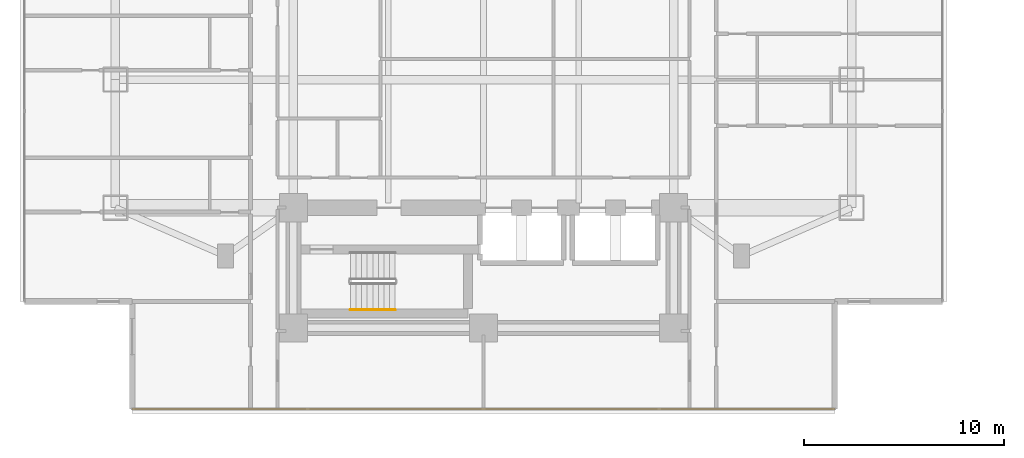
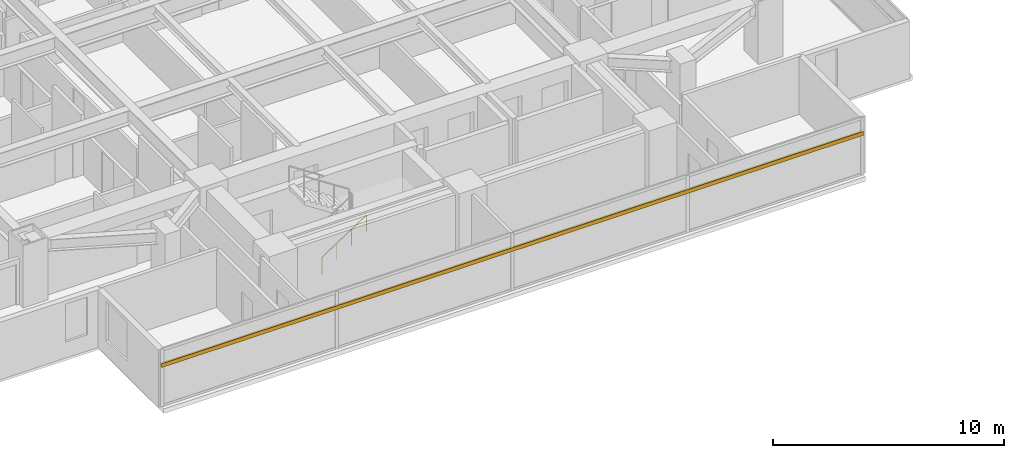
# One storey, part 22 of 26: 1 railing, 1 shading device.
"""IFC4 building model written with IfcOpenShell, lengths in metres."""

from ifc_helpers import new_model, si_unit, direction, frame, origin, origin_2d, place, context, subcontext, project, spatial, rectangle, circle, extrude, material, material_profile, profile_set, type_object, element, save


model = new_model("IFC4")

# Units and contexts
model_context = context("Model", 3, precision=1e-05, world=origin(), true_north=direction((0.0, 1.0)))
body_context = subcontext(model_context, "Body", "Model", "MODEL_VIEW")
ifc_project = project(units=[si_unit("LENGTHUNIT", "METRE"), si_unit("AREAUNIT", "SQUARE_METRE"), si_unit("VOLUMEUNIT", "CUBIC_METRE"), si_unit("PLANEANGLEUNIT", "RADIAN"), si_unit("MASSUNIT", "GRAM", prefix="KILO")], contexts=[model_context])

# Site, building, storey
site_placement = place(None, origin())
site = spatial("IfcSite", under=ifc_project, at=site_placement, CompositionType="ELEMENT")
building_placement = place(site_placement, origin())
building = spatial("IfcBuilding", under=site, at=building_placement, Name="Mirazonda Arch Towers", CompositionType="ELEMENT")
storey_placement = place(building_placement, frame((0.0, 0.0, 45.5)))
storey = spatial("IfcBuildingStorey", under=building, at=storey_placement, Name="L12", CompositionType="ELEMENT", Elevation=45.5)

# Shading device
ifc_material_1 = material(Name="Kiln-Fired Architectural Terracotta", Category="masonry")
ifc_material_profile = material_profile(ifc_material_1, rectangle(XDim=0.10009765625, YDim=0.199951171875, at=origin_2d()), Name="TERRA-BAG-100x200")
ifc_profile_set = profile_set([ifc_material_profile], Name="Kiln-Fired Architectural Terracotta")
shading_device_type = type_object("IfcShadingDeviceType", Name="BAGUETTE-2", PredefinedType="USERDEFINED", material=ifc_profile_set)
shading_device_placement = place(storey_placement, frame((38.06005859375, 8.333984375, 2.188720703125), z_axis=(-1.0, 0.0, 0.0), x_axis=(0.0, -1.0, 0.0)))
element("IfcShadingDevice", 1, at=shading_device_placement, inside=storey, type_object=shading_device_type, Name="L12 Glazed Terracotta Sun-Screen Baguette CW-L12-T1-S", ObjectType="BAGUETTE", PredefinedType="USERDEFINED", context=body_context, shape_type="SweptSolid", body=[
    extrude(rectangle(XDim=0.10009765625, YDim=0.199951171875, at=origin_2d()), origin(), (0.0, 0.0, 1.0), 35.1201171875),
])

# Railing
ifc_material_2 = material(Name="Architectural Brushed Steel S355", Category="steel")
railing_type = type_object("IfcRailingType", Name="HANDRAIL-915", PredefinedType="HANDRAIL", material=ifc_material_2)
railing_placement = place(storey_placement, frame((13.85009765625, 13.300048828125, 0.183349609375)))
element("IfcRailing", 2, at=railing_placement, inside=storey, type_object=railing_type, Name="L12 ST-T1S stair handrail 1", PredefinedType="HANDRAIL", context=body_context, shape_type="SweptSolid", body=[
    extrude(circle(Radius=0.02392578125, at=origin_2d()), frame((0.0, 0.0, 0.8759765625), z_axis=(0.836636935527, 0.0, 0.547757827979), x_axis=(0.0, 1.0, 0.0)), (0.0, 0.0, 1.0), 2.677490234375),
    extrude(circle(Radius=0.02099609375, at=origin_2d()), origin(), (0.0, 0.0, 1.0), 0.851806640625),
    extrude(circle(Radius=0.02099609375, at=origin_2d()), frame((0.74658203125, 0.0, 0.48876953125)), (0.0, 0.0, 1.0), 0.851806640625),
    extrude(circle(Radius=0.02099609375, at=origin_2d()), frame((1.493408203125, 0.0, 0.977783203125)), (0.0, 0.0, 1.0), 0.851806640625),
    extrude(circle(Radius=0.02099609375, at=origin_2d()), frame((2.239990234375, 0.0, 1.466552734375)), (0.0, 0.0, 1.0), 0.851806640625),
])

save(model, "model.ifc")
